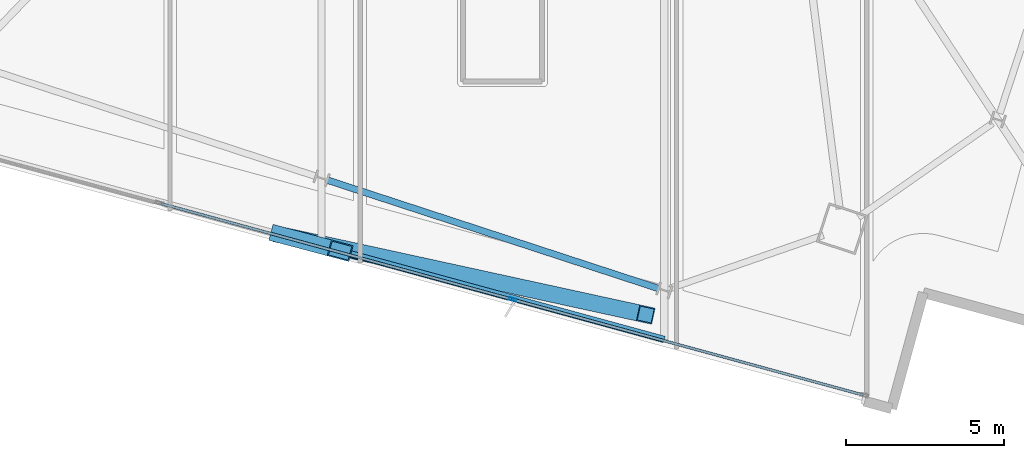
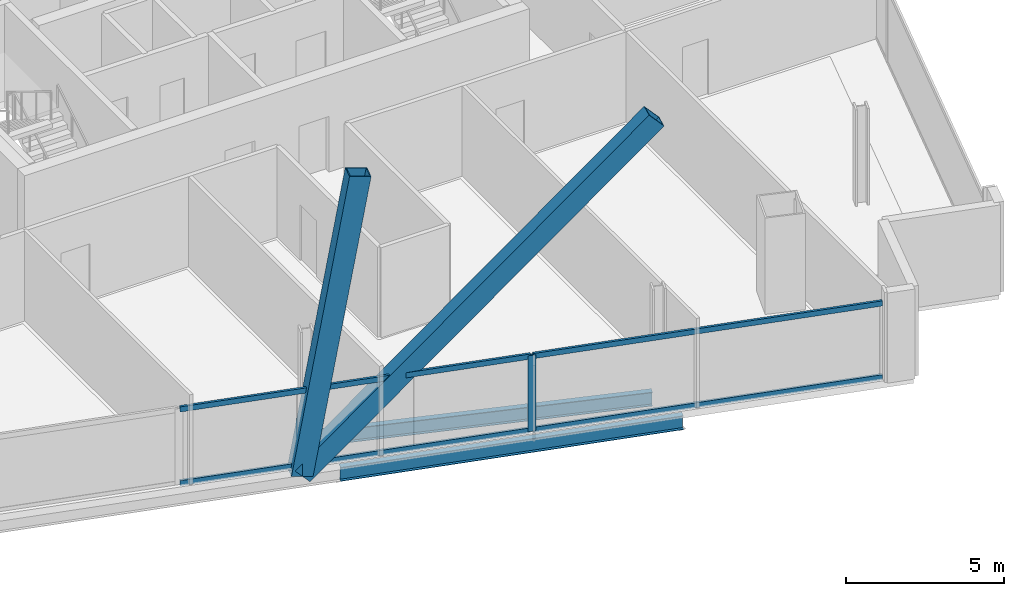
# One storey, part 3 of 26: 7 members, 2 beams, 1 element without a shape of its own.
"""IFC4 building model written with IfcOpenShell, lengths in metres."""

import ifcopenshell
import ifcopenshell.guid

model = None  # the IFC model being written
_history = None  # IfcOwnerHistory: only IFC2X3 demands one
_inside = {}  # id of a spatial element -> (the spatial element, [elements in it])
_under = {}  # id of a project, library or spatial element -> (it, [spatial elements below it])
_declared = {}  # id of a project -> (the project, [libraries it declares])
_typed = {}  # id of a type object -> (the type object, [elements of that type])
_made_of = {}  # id of a material, layer set ... -> (it, [elements and type objects made of it])


def new_model(schema):
    """Start an empty IFC model of exactly this schema.

    Asked for "IFC4X3", IfcOpenShell would pick the latest addendum, in which some entities
    have other attributes; the version numbers below select the first issue.
    IFC2X3 requires an IfcOwnerHistory on every rooted entity: one is made here for all.
    """
    global model, _history
    if schema == "IFC4X3":
        model = ifcopenshell.file(schema_version=(4, 3, 0, 0))
    else:
        model = ifcopenshell.file(schema=schema)
    _inside.clear()
    _under.clear()
    _declared.clear()
    _typed.clear()
    _made_of.clear()
    _history = None
    if model.schema == "IFC2X3":
        org = make("IfcOrganization", Name="unknown")
        user = make(
            "IfcPersonAndOrganization",
            ThePerson=make("IfcPerson", FamilyName="unknown"),
            TheOrganization=org,
        )
        app = make(
            "IfcApplication",
            ApplicationDeveloper=org,
            Version="unknown",
            ApplicationFullName="unknown",
            ApplicationIdentifier="unknown",
        )
        _history = make(
            "IfcOwnerHistory",
            OwningUser=user,
            OwningApplication=app,
            ChangeAction="ADDED",
            CreationDate=0,
        )
    return model


def make(cls, **values):
    """One entity of the class cls with the attributes given. An attribute that is None is left unset."""
    return model.create_entity(
        cls, **{name: value for name, value in values.items() if value is not None}
    )


def rooted(cls, **values):
    """An entity with a GlobalId (a new one), such as an element, a storey or a relation."""
    return make(cls, GlobalId=ifcopenshell.guid.new(), OwnerHistory=_history, **values)


def si_unit(unit_type, name, prefix=None):
    """IfcSIUnit, for example si_unit("LENGTHUNIT", "METRE", prefix="MILLI")."""
    return make("IfcSIUnit", UnitType=unit_type, Prefix=prefix, Name=name)


def assignment(units):
    """IfcUnitAssignment: the units of a project."""
    return None if units is None else make("IfcUnitAssignment", Units=units)


def point(xyz):
    """IfcCartesianPoint."""
    return None if xyz is None else make("IfcCartesianPoint", Coordinates=xyz)


def direction(xyz):
    """IfcDirection."""
    return None if xyz is None else make("IfcDirection", DirectionRatios=xyz)


def frame(location, z_axis=None, x_axis=None):
    """IfcAxis2Placement3D, a coordinate frame: its origin and axes. An axis left out is left unset."""
    return make(
        "IfcAxis2Placement3D",
        Location=point(location),
        Axis=direction(z_axis),
        RefDirection=direction(x_axis),
    )


def frame_2d(location, x_axis=None):
    """IfcAxis2Placement2D, a coordinate frame in the plane: its origin and x axis."""
    return make(
        "IfcAxis2Placement2D", Location=point(location), RefDirection=direction(x_axis)
    )


def origin():
    """The frame at (0, 0, 0) with its axes left unset."""
    return frame((0.0, 0.0, 0.0))


def origin_2d():
    """The frame at (0, 0) in the plane with its x axis left unset."""
    return frame_2d((0.0, 0.0))


def place(relative_to, where):
    """IfcLocalPlacement: puts the frame where relative to a parent placement (None: the world)."""
    return make(
        "IfcLocalPlacement", PlacementRelTo=relative_to, RelativePlacement=where
    )


def context(
    kind, dimensions, precision=None, world=None, true_north=None, identifier=None
):
    """IfcGeometricRepresentationContext, for example the 3D "Model" context."""
    return make(
        "IfcGeometricRepresentationContext",
        ContextIdentifier=identifier,
        ContextType=kind,
        CoordinateSpaceDimension=dimensions,
        Precision=precision,
        WorldCoordinateSystem=world,
        TrueNorth=true_north,
    )


def subcontext(parent, identifier, kind, view, scale=None):
    """IfcGeometricRepresentationSubContext, for example "Body" below "Model"."""
    return make(
        "IfcGeometricRepresentationSubContext",
        ContextIdentifier=identifier,
        ContextType=kind,
        ParentContext=parent,
        TargetScale=scale,
        TargetView=view,
    )


def project(units=None, contexts=None):
    """IfcProject with its units and contexts."""
    return rooted(
        "IfcProject",
        Name="project",
        RepresentationContexts=contexts,
        UnitsInContext=assignment(units),
    )


def spatial(cls, under=None, at=None, **own):
    """A site, building, storey or space (cls), placed at a placement, below another one or the project."""
    s = rooted(cls, ObjectPlacement=at, **own)
    if under is not None:
        _under.setdefault(under.id(), (under, []))[1].append(s)
    return s


def profile(cls, at=None, kind="AREA", **sizes):
    """A parametric profile (cls). Its sizes go by their IFC names, for example OverallWidth=200.0."""
    return make(cls, ProfileType=kind, Position=at, **sizes)


def hollow_rectangle(**sizes):
    """IfcRectangleHollowProfileDef."""
    return profile("IfcRectangleHollowProfileDef", **sizes)


def i_section(**sizes):
    """IfcIShapeProfileDef."""
    return profile("IfcIShapeProfileDef", **sizes)


def extrude(swept, where, along, depth):
    """IfcExtrudedAreaSolid: the profile swept, set in the frame where, extruded along a direction by depth."""
    return make(
        "IfcExtrudedAreaSolid",
        SweptArea=swept,
        Position=where,
        ExtrudedDirection=direction(along),
        Depth=depth,
    )


def shape(context_of_items, identifier, shape_type, items):
    """IfcShapeRepresentation: the items that make up one representation, for example the "Body"."""
    return make(
        "IfcShapeRepresentation",
        ContextOfItems=context_of_items,
        RepresentationIdentifier=identifier,
        RepresentationType=shape_type,
        Items=items,
    )


def material(Name=None, Category=None):
    """IfcMaterial."""
    return make("IfcMaterial", Name=Name, Category=Category)


def material_profile(
    of_material, cross_section, Name=None, Category=None, Priority=None
):
    """IfcMaterialProfile: a cross section and its material."""
    return make(
        "IfcMaterialProfile",
        Name=Name,
        Material=of_material,
        Profile=cross_section,
        Priority=Priority,
        Category=Category,
    )


def profile_set(profiles, Name=None, composite=None):
    """IfcMaterialProfileSet."""
    return make(
        "IfcMaterialProfileSet",
        Name=Name,
        MaterialProfiles=profiles,
        CompositeProfile=composite,
    )


def made_of(thing, what):
    """Note that an element or type object is made of a material, layer set ...; save() writes the relation."""
    if what is not None:
        _made_of.setdefault(what.id(), (what, []))[1].append(thing)
    return thing


def type_object(cls, material=None, **own):
    """A type object (cls), such as IfcWallType, which elements share."""
    return made_of(rooted(cls, **own), material)


def element(
    cls,
    number,
    at=None,
    inside=None,
    cuts=None,
    type_object=None,
    material=None,
    context=None,
    identifier="Body",
    shape_type=None,
    held_by="IfcProductDefinitionShape",
    body=None,
    shapes=None,
    **own,
):
    """One element of the class cls, such as IfcWall. Its Tag is "e" and its number.

    at: its placement. inside: the storey or other place that contains it. cuts: it is an
    opening in that element (IfcRelVoidsElement). A single representation is given by context,
    identifier, shape_type and body (its items); several are given by shapes. held_by: the class
    of the entity that holds the representations. save() writes the other relations.
    """
    e = rooted(cls, Tag="e%d" % number, ObjectPlacement=at, **own)
    if body is not None:
        shapes = [shape(context, identifier, shape_type, body)]
    if shapes is not None:
        e.Representation = make(held_by, Representations=shapes)
    if inside is not None:
        _inside.setdefault(inside.id(), (inside, []))[1].append(e)
    if cuts is not None:
        rooted(
            "IfcRelVoidsElement", RelatingBuildingElement=cuts, RelatedOpeningElement=e
        )
    if type_object is not None:
        _typed.setdefault(type_object.id(), (type_object, []))[1].append(e)
    return made_of(e, material)


def aggregate(whole, parts):
    """IfcRelAggregates: a whole, such as a stair, and the parts it consists of."""
    return rooted("IfcRelAggregates", RelatingObject=whole, RelatedObjects=parts)


def save(model, path):
    """Write the relations noted so far, then the file.

    IfcRelAggregates (storeys below a building ...), IfcRelContainedInSpatialStructure (elements
    in a storey), IfcRelDefinesByType, IfcRelAssociatesMaterial and IfcRelDeclares: one each for
    every whole, place, type object, material and project.
    """
    for whole, parts in _under.values():
        aggregate(whole, parts)
    for where, things in _inside.values():
        rooted(
            "IfcRelContainedInSpatialStructure",
            RelatedElements=things,
            RelatingStructure=where,
        )
    for kind, things in _typed.values():
        rooted("IfcRelDefinesByType", RelatedObjects=things, RelatingType=kind)
    for what, things in _made_of.values():
        rooted("IfcRelAssociatesMaterial", RelatedObjects=things, RelatingMaterial=what)
    for by, libraries in _declared.values():
        rooted("IfcRelDeclares", RelatingContext=by, RelatedDefinitions=libraries)
    model.write(path)


model = new_model("IFC4")

# Units and contexts
model_context = context("Model", 3, precision=1e-05, world=origin(), true_north=direction((0.0, 1.0)))
body_context = subcontext(model_context, "Body", "Model", "MODEL_VIEW")
ifc_project = project(units=[si_unit("LENGTHUNIT", "METRE"), si_unit("AREAUNIT", "SQUARE_METRE"), si_unit("VOLUMEUNIT", "CUBIC_METRE"), si_unit("PLANEANGLEUNIT", "RADIAN"), si_unit("MASSUNIT", "GRAM", prefix="KILO")], contexts=[model_context])

# Site, building, storey
site_placement = place(None, origin())
site = spatial("IfcSite", under=ifc_project, at=site_placement, CompositionType="ELEMENT")
building_placement = place(site_placement, origin())
building = spatial("IfcBuilding", under=site, at=building_placement, Name="Haldenkirk Collegiate Tower", CompositionType="ELEMENT")
storey_placement = place(building_placement, frame((0.0, 0.0, 278.699951171875)))
storey = spatial("IfcBuildingStorey", under=building, at=storey_placement, Name="L70", CompositionType="ELEMENT", Elevation=278.699951171875)

# Beams
ifc_material_1 = material(Name="Steel ASTM A992 Grade 50", Category="steel")
ifc_material_profile_1 = material_profile(ifc_material_1, i_section(OverallWidth=0.2099609375, OverallDepth=0.537109375, WebThickness=0.010986328125, FlangeThickness=0.017333984375, at=origin_2d()), Name="W21X68")
ifc_profile_set_1 = profile_set([ifc_material_profile_1], Name="Steel ASTM A992 Grade 50")
beam_type = type_object("IfcBeamType", Name="BM-SPANDREL-W21X68", PredefinedType="SPANDREL", material=ifc_profile_set_1)
beam_1_placement = place(storey_placement, frame((30.4755859375, 5.97509765625, -0.538330078125), z_axis=(0.95040429397, -0.311017166733, 0.0), x_axis=(0.311017166733, 0.95040429397, 0.0)))
element("IfcBeam", 1, at=beam_1_placement, inside=storey, type_object=beam_type, Name="L70 perimeter spandrel beam 15", PredefinedType="SPANDREL", context=body_context, shape_type="SweptSolid", body=[
    extrude(i_section(OverallWidth=0.2099609375, OverallDepth=0.537109375, WebThickness=0.010986328125, FlangeThickness=0.017333984375, at=origin_2d()), origin(), (0.0, 0.0, 1.0), 10.988037109375),
])
beam_2_placement = place(storey_placement, frame((30.283203125, 3.895263671875, -0.538330078125), z_axis=(0.964789920702, -0.263021689053, 0.0), x_axis=(0.263021689053, 0.964789920702, 0.0)))
element("IfcBeam", 2, at=beam_2_placement, inside=storey, type_object=beam_type, Name="L70 outer facade edge beam 4B", PredefinedType="SPANDREL", context=body_context, shape_type="SweptSolid", body=[
    extrude(i_section(OverallWidth=0.2099609375, OverallDepth=0.537109375, WebThickness=0.010986328125, FlangeThickness=0.017333984375, at=origin_2d()), origin(), (0.0, 0.0, 1.0), 11.22314453125),
])

# Curtain wall, members
ifc_material_2 = material(Name="Anodised architectural bronze aluminium", Category="aluminium")
curtain_wall_type = type_object("IfcCurtainWallType", Name="CW-SYS1B-CONVEX-HI", PredefinedType="USERDEFINED", material=ifc_material_2)
curtain_wall_placement = place(storey_placement, origin())
curtain_wall = element("IfcCurtainWall", 3, at=curtain_wall_placement, inside=storey, type_object=curtain_wall_type, Name="L70 Upper tower high-wind convex bronze unitised curtain wall", ObjectType="UNITISED CURTAIN WALL", PredefinedType="USERDEFINED")
ifc_material_profile_2 = material_profile(ifc_material_2, hollow_rectangle(XDim=0.0849609375, YDim=0.25, WallThickness=0.0048828125, at=origin_2d()), Name="CW-MUL-1B")
ifc_profile_set_2 = profile_set([ifc_material_profile_2], Name="Anodised architectural bronze aluminium")
member_type_1 = type_object("IfcMemberType", Name="CW-MUL-1B", PredefinedType="MULLION", material=ifc_profile_set_2)
member_1_placement = place(storey_placement, frame((36.31982421875, 2.2080078125, 0.0), z_axis=(0.0, 0.0, 1.0), x_axis=(-0.263031020173, -0.964787376797, 0.0)))
member_1 = element("IfcMember", 4, at=member_1_placement, type_object=member_type_1, Name="CW-1B mullion 2", PredefinedType="MULLION", context=body_context, shape_type="SweptSolid", body=[
    extrude(hollow_rectangle(XDim=0.0849609375, YDim=0.25, WallThickness=0.0048828125, at=origin_2d()), origin(), (0.0, 0.0, 1.0), 2.93798828125),
])
ifc_material_profile_3 = material_profile(ifc_material_2, hollow_rectangle(XDim=0.0849609375, YDim=0.199951171875, WallThickness=0.0048828125, at=origin_2d()), Name="CW-TRN-1B")
ifc_profile_set_3 = profile_set([ifc_material_profile_3], Name="Anodised architectural bronze aluminium")
member_type_2 = type_object("IfcMemberType", Name="CW-TRN-1B", PredefinedType="USERDEFINED", material=ifc_profile_set_3)
member_2_placement = place(storey_placement, frame((47.38916015625, -0.809814453125, 0.04248046875), z_axis=(-0.964783533606, 0.263045116441, 0.0), x_axis=(-0.263045116441, -0.964783533606, 0.0)))
member_2 = element("IfcMember", 5, at=member_2_placement, type_object=member_type_2, Name="CW-1B transom 1.1", ObjectType="TRANSOM", PredefinedType="USERDEFINED", context=body_context, shape_type="SweptSolid", body=[
    extrude(hollow_rectangle(XDim=0.0849609375, YDim=0.199951171875, WallThickness=0.0048828125, at=origin_2d()), origin(), (0.0, 0.0, 1.0), 11.430908203125),
])
member_3_placement = place(storey_placement, frame((47.38916015625, -0.809814453125, 2.8955078125), z_axis=(-0.964783533606, 0.263045116441, 0.0), x_axis=(-0.263045116441, -0.964783533606, 0.0)))
member_3 = element("IfcMember", 6, at=member_3_placement, type_object=member_type_2, Name="CW-1B transom 1.2", ObjectType="TRANSOM", PredefinedType="USERDEFINED", context=body_context, shape_type="SweptSolid", body=[
    extrude(hollow_rectangle(XDim=0.0849609375, YDim=0.199951171875, WallThickness=0.0048828125, at=origin_2d()), origin(), (0.0, 0.0, 1.0), 11.430908203125),
])
member_4_placement = place(storey_placement, frame((36.27880859375, 2.21923828125, 0.04248046875), z_axis=(-0.964787878793, 0.263029178865, 0.0), x_axis=(-0.263029178865, -0.964787878793, 0.0)))
member_4 = element("IfcMember", 7, at=member_4_placement, type_object=member_type_2, Name="CW-1B transom 2.1", ObjectType="TRANSOM", PredefinedType="USERDEFINED", context=body_context, shape_type="SweptSolid", body=[
    extrude(hollow_rectangle(XDim=0.0849609375, YDim=0.199951171875, WallThickness=0.0048828125, at=origin_2d()), origin(), (0.0, 0.0, 1.0), 11.473388671875),
])
member_5_placement = place(storey_placement, frame((36.27880859375, 2.21923828125, 2.8955078125), z_axis=(-0.964787878793, 0.263029178865, 0.0), x_axis=(-0.263029178865, -0.964787878793, 0.0)))
member_5 = element("IfcMember", 8, at=member_5_placement, type_object=member_type_2, Name="CW-1B transom 2.2", ObjectType="TRANSOM", PredefinedType="USERDEFINED", context=body_context, shape_type="SweptSolid", body=[
    extrude(hollow_rectangle(XDim=0.0849609375, YDim=0.199951171875, WallThickness=0.0048828125, at=origin_2d()), origin(), (0.0, 0.0, 1.0), 11.473388671875),
])
aggregate(curtain_wall, [member_1, member_2, member_3, member_4, member_5])

# Members
ifc_material_3 = material(Name="Steel ASTM A572 Grade 50", Category="steel")
ifc_material_profile_4 = material_profile(ifc_material_3, hollow_rectangle(XDim=0.52001953125, YDim=0.719970703125, WallThickness=0.035888671875, at=origin_2d()), Name="BOX720X520X36")
ifc_profile_set_4 = profile_set([ifc_material_profile_4], Name="Steel ASTM A572 Grade 50")
member_type_3 = type_object("IfcMemberType", Name="MBR-MEGABRACE-BOX720X520X36", PredefinedType="BRACE", material=ifc_profile_set_4)
member_6_placement = place(storey_placement, frame((29.02783203125, 4.237548828125, -0.280029296875), z_axis=(0.161478633062, -0.0428355934, 0.985946125811), x_axis=(0.256402954622, 0.966569979288, 0.0)))
element("IfcMember", 9, at=member_6_placement, inside=storey, type_object=member_type_3, Name="Perimeter Mega Brace Z5 L70-L72 WL", PredefinedType="BRACE", context=body_context, shape_type="SweptSolid", body=[
    extrude(hollow_rectangle(XDim=0.52001953125, YDim=0.719970703125, WallThickness=0.035888671875, at=origin_2d()), origin(), (0.0, 0.0, 1.0), 11.410400390625),
])
member_7_placement = place(storey_placement, frame((29.02783203125, 4.237548828125, -0.280029296875), z_axis=(0.706192499105, -0.153905481891, 0.691089905043), x_axis=(0.212938744963, 0.977065550971, 0.0)))
element("IfcMember", 10, at=member_7_placement, inside=storey, type_object=member_type_3, Name="Perimeter Mega Brace Z5 L70-L72 WR", PredefinedType="BRACE", context=body_context, shape_type="SweptSolid", body=[
    extrude(hollow_rectangle(XDim=0.52001953125, YDim=0.719970703125, WallThickness=0.035888671875, at=origin_2d()), origin(), (0.0, 0.0, 1.0), 16.278564453125),
])

save(model, "model.ifc")
